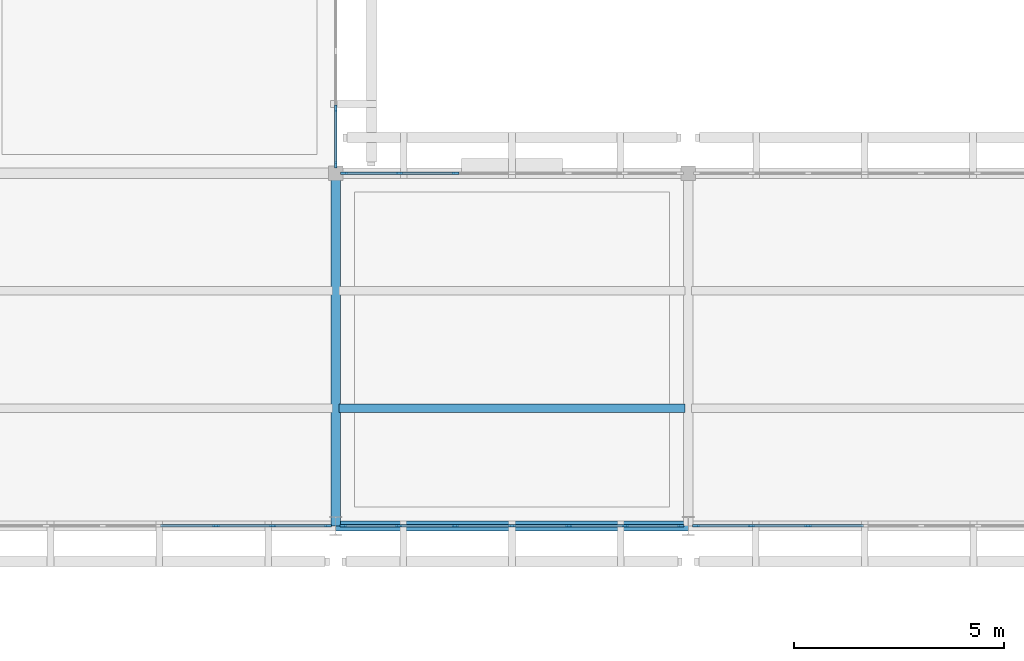
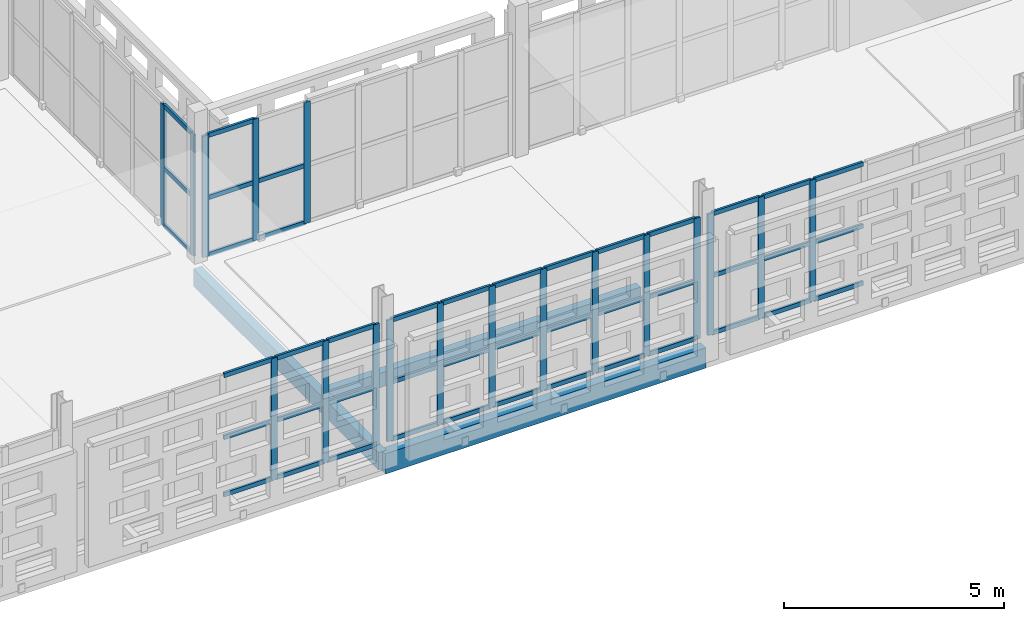
# One storey, part 52 of 140: 62 members, 3 beams, 5 elements without a shape of their own.
"""IFC4 building model written with IfcOpenShell, lengths in metres."""

from ifc_helpers import new_model, si_unit, direction, frame, origin, origin_2d, place, context, subcontext, project, spatial, rectangle, extrude, material, layer, layer_set, material_profile, profile_set, type_object, element, aggregate, save


model = new_model("IFC4")

# Units and contexts
model_context = context("Model", 3, precision=1e-05, world=origin(), true_north=direction((0.0, 1.0)))
body_context = subcontext(model_context, "Body", "Model", "MODEL_VIEW")
ifc_project = project(units=[si_unit("LENGTHUNIT", "METRE"), si_unit("AREAUNIT", "SQUARE_METRE"), si_unit("VOLUMEUNIT", "CUBIC_METRE"), si_unit("PLANEANGLEUNIT", "RADIAN"), si_unit("MASSUNIT", "GRAM", prefix="KILO")], contexts=[model_context])

# Site, building, storey
site_placement = place(None, origin())
site = spatial("IfcSite", under=ifc_project, at=site_placement, CompositionType="ELEMENT")
building_placement = place(site_placement, origin())
building = spatial("IfcBuilding", under=site, at=building_placement, Name="Varnapada Polytechnic", CompositionType="ELEMENT")
storey_placement = place(building_placement, frame((0.0, 0.0, 13.800048828125)))
storey = spatial("IfcBuildingStorey", under=building, at=storey_placement, Name="L03", CompositionType="ELEMENT", Elevation=13.800048828125)

# Beam
ifc_material_1 = material(Name="Glulam GL32h", Category="wood")
ifc_material_profile_1 = material_profile(ifc_material_1, rectangle(XDim=0.199951171875, YDim=0.39990234375, at=origin_2d()), Name="GL 200x400")
ifc_profile_set_1 = profile_set([ifc_material_profile_1], Name="Glulam GL32h")
beam_type_1 = type_object("IfcBeamType", Name="Library/laboratory glulam floor joist GJ-01 (GL 200x400)", PredefinedType="JOIST", material=ifc_profile_set_1)
beam_1_placement = place(storey_placement, frame((67.280029296875, 86.800048828125, -0.43994140625), z_axis=(1.0, 0.0, 0.0), x_axis=(0.0, 1.0, 0.0)))
element("IfcBeam", 1, at=beam_1_placement, inside=storey, type_object=beam_type_1, Name="L03 floor joist 9/11.1", PredefinedType="JOIST", context=body_context, shape_type="SweptSolid", body=[
    extrude(rectangle(XDim=0.199951171875, YDim=0.39990234375, at=origin_2d()), origin(), (0.0, 0.0, 1.0), 8.239990234375),
])

# Curtain wall, members
ifc_material_2 = material(Name="Double low-E laminated glass", Category="glass")
ifc_layer_1 = layer(ifc_material_2, 0.159912109375)
ifc_layer_set_1 = layer_set([ifc_layer_1], Name="Double low-E laminated glass")
curtain_wall_type_1 = type_object("IfcCurtainWallType", Name="Curtain Wall CW-01", PredefinedType="NOTDEFINED", material=ifc_layer_set_1)
curtain_wall_1_placement = place(storey_placement, origin())
curtain_wall_1 = element("IfcCurtainWall", 2, at=curtain_wall_1_placement, inside=storey, type_object=curtain_wall_type_1, Name="L03 unitised curtain wall CW-01 (229)", PredefinedType="NOTDEFINED")
ifc_material_3 = material(Name="Anodised aluminium", Category="aluminium")
ifc_material_profile_2 = material_profile(ifc_material_3, rectangle(XDim=0.06005859375, YDim=0.159912109375, at=origin_2d()), Name="ALU M60x160")
ifc_profile_set_2 = profile_set([ifc_material_profile_2], Name="Anodised aluminium")
member_type_1 = type_object("IfcMemberType", Name="Mullion M-01", PredefinedType="MULLION", material=ifc_profile_set_2)
member_1_placement = place(storey_placement, frame((67.02001953125, 84.0, 0.0), z_axis=(0.0, 0.0, 1.0), x_axis=(0.0, -1.0, 0.0)))
member_1 = element("IfcMember", 3, at=member_1_placement, type_object=member_type_1, Name="CW-01 mullion 1", PredefinedType="MULLION", context=body_context, shape_type="SweptSolid", body=[
    extrude(rectangle(XDim=0.06005859375, YDim=0.159912109375, at=origin_2d()), origin(), (0.0, 0.0, 1.0), 3.35986328125),
])
member_2_placement = place(storey_placement, frame((65.699951171875, 84.0, 0.0), z_axis=(0.0, 0.0, 1.0), x_axis=(0.0, -1.0, 0.0)))
member_2 = element("IfcMember", 4, at=member_2_placement, type_object=member_type_1, Name="CW-01 mullion 2", PredefinedType="MULLION", context=body_context, shape_type="SweptSolid", body=[
    extrude(rectangle(XDim=0.06005859375, YDim=0.159912109375, at=origin_2d()), origin(), (0.0, 0.0, 1.0), 3.35986328125),
])
member_3_placement = place(storey_placement, frame((64.35009765625, 84.0, 0.0), z_axis=(0.0, 0.0, 1.0), x_axis=(0.0, -1.0, 0.0)))
member_3 = element("IfcMember", 5, at=member_3_placement, type_object=member_type_1, Name="CW-01 mullion 3", PredefinedType="MULLION", context=body_context, shape_type="SweptSolid", body=[
    extrude(rectangle(XDim=0.06005859375, YDim=0.159912109375, at=origin_2d()), origin(), (0.0, 0.0, 1.0), 3.35986328125),
])

ifc_layer_2 = layer(ifc_material_2, 0.159912109375)
ifc_layer_set_2 = layer_set([ifc_layer_2], Name="Double low-E laminated glass")
curtain_wall_type_2 = type_object("IfcCurtainWallType", Name="Curtain Wall CW-02", PredefinedType="NOTDEFINED", material=ifc_layer_set_2)
curtain_wall_2_placement = place(storey_placement, origin())
curtain_wall_2 = element("IfcCurtainWall", 6, at=curtain_wall_2_placement, inside=storey, type_object=curtain_wall_type_2, Name="L03 unitised curtain wall CW-02 (230)", PredefinedType="NOTDEFINED")
member_4_placement = place(storey_placement, frame((67.199951171875, 93.941650390625, 0.0), z_axis=(0.0, 0.0, 1.0), x_axis=(1.0, 0.0, 0.0)))
member_4 = element("IfcMember", 7, at=member_4_placement, type_object=member_type_1, Name="CW-02 mullion 6", PredefinedType="MULLION", context=body_context, shape_type="SweptSolid", body=[
    extrude(rectangle(XDim=0.06005859375, YDim=0.159912109375, at=origin_2d()), origin(), (0.0, 0.0, 1.0), 3.35986328125),
])
member_5_placement = place(storey_placement, frame((67.199951171875, 92.60009765625, 0.0), z_axis=(0.0, 0.0, 1.0), x_axis=(1.0, 0.0, 0.0)))
member_5 = element("IfcMember", 8, at=member_5_placement, type_object=member_type_1, Name="CW-02 mullion 7", PredefinedType="MULLION", context=body_context, shape_type="SweptSolid", body=[
    extrude(rectangle(XDim=0.06005859375, YDim=0.159912109375, at=origin_2d()), origin(), (0.0, 0.0, 1.0), 3.35986328125),
])

curtain_wall_3_placement = place(storey_placement, origin())
curtain_wall_3 = element("IfcCurtainWall", 9, at=curtain_wall_3_placement, inside=storey, type_object=curtain_wall_type_1, Name="L03 unitised curtain wall CW-01 (234)", PredefinedType="NOTDEFINED")
member_6_placement = place(storey_placement, frame((75.419921875, 84.0, 0.0), z_axis=(0.0, 0.0, 1.0), x_axis=(0.0, -1.0, 0.0)))
member_6 = element("IfcMember", 10, at=member_6_placement, type_object=member_type_1, Name="CW-01 mullion 1", PredefinedType="MULLION", context=body_context, shape_type="SweptSolid", body=[
    extrude(rectangle(XDim=0.06005859375, YDim=0.159912109375, at=origin_2d()), origin(), (0.0, 0.0, 1.0), 3.35986328125),
])
member_7_placement = place(storey_placement, frame((74.10009765625, 84.0, 0.0), z_axis=(0.0, 0.0, 1.0), x_axis=(0.0, -1.0, 0.0)))
member_7 = element("IfcMember", 11, at=member_7_placement, type_object=member_type_1, Name="CW-01 mullion 2", PredefinedType="MULLION", context=body_context, shape_type="SweptSolid", body=[
    extrude(rectangle(XDim=0.06005859375, YDim=0.159912109375, at=origin_2d()), origin(), (0.0, 0.0, 1.0), 3.35986328125),
])
member_8_placement = place(storey_placement, frame((72.75, 84.0, 0.0), z_axis=(0.0, 0.0, 1.0), x_axis=(0.0, -1.0, 0.0)))
member_8 = element("IfcMember", 12, at=member_8_placement, type_object=member_type_1, Name="CW-01 mullion 3", PredefinedType="MULLION", context=body_context, shape_type="SweptSolid", body=[
    extrude(rectangle(XDim=0.06005859375, YDim=0.159912109375, at=origin_2d()), origin(), (0.0, 0.0, 1.0), 3.35986328125),
])
member_9_placement = place(storey_placement, frame((71.39990234375, 84.0, 0.0), z_axis=(0.0, 0.0, 1.0), x_axis=(0.0, -1.0, 0.0)))
member_9 = element("IfcMember", 13, at=member_9_placement, type_object=member_type_1, Name="CW-01 mullion 4", PredefinedType="MULLION", context=body_context, shape_type="SweptSolid", body=[
    extrude(rectangle(XDim=0.06005859375, YDim=0.159912109375, at=origin_2d()), origin(), (0.0, 0.0, 1.0), 3.35986328125),
])
member_10_placement = place(storey_placement, frame((70.050048828125, 84.0, 0.0), z_axis=(0.0, 0.0, 1.0), x_axis=(0.0, -1.0, 0.0)))
member_10 = element("IfcMember", 14, at=member_10_placement, type_object=member_type_1, Name="CW-01 mullion 5", PredefinedType="MULLION", context=body_context, shape_type="SweptSolid", body=[
    extrude(rectangle(XDim=0.06005859375, YDim=0.159912109375, at=origin_2d()), origin(), (0.0, 0.0, 1.0), 3.35986328125),
])
member_11_placement = place(storey_placement, frame((68.699951171875, 84.0, 0.0), z_axis=(0.0, 0.0, 1.0), x_axis=(0.0, -1.0, 0.0)))
member_11 = element("IfcMember", 15, at=member_11_placement, type_object=member_type_1, Name="CW-01 mullion 6", PredefinedType="MULLION", context=body_context, shape_type="SweptSolid", body=[
    extrude(rectangle(XDim=0.06005859375, YDim=0.159912109375, at=origin_2d()), origin(), (0.0, 0.0, 1.0), 3.35986328125),
])
member_12_placement = place(storey_placement, frame((67.3798828125, 84.0, 0.0), z_axis=(0.0, 0.0, 1.0), x_axis=(0.0, -1.0, 0.0)))
member_12 = element("IfcMember", 16, at=member_12_placement, type_object=member_type_1, Name="CW-01 mullion 7", PredefinedType="MULLION", context=body_context, shape_type="SweptSolid", body=[
    extrude(rectangle(XDim=0.06005859375, YDim=0.159912109375, at=origin_2d()), origin(), (0.0, 0.0, 1.0), 3.35986328125),
])

curtain_wall_4_placement = place(storey_placement, origin())
curtain_wall_4 = element("IfcCurtainWall", 17, at=curtain_wall_4_placement, inside=storey, type_object=curtain_wall_type_2, Name="L03 unitised curtain wall CW-02 (235)", PredefinedType="NOTDEFINED")
member_13_placement = place(storey_placement, frame((67.39990234375, 92.39990234375, 0.0), z_axis=(0.0, 0.0, 1.0), x_axis=(0.0, 1.0, 0.0)))
member_13 = element("IfcMember", 18, at=member_13_placement, type_object=member_type_1, Name="CW-02 mullion 1", PredefinedType="MULLION", context=body_context, shape_type="SweptSolid", body=[
    extrude(rectangle(XDim=0.06005859375, YDim=0.159912109375, at=origin_2d()), origin(), (0.0, 0.0, 1.0), 3.35986328125),
])
member_14_placement = place(storey_placement, frame((68.71337890625, 92.39990234375, 0.0), z_axis=(0.0, 0.0, 1.0), x_axis=(0.0, 1.0, 0.0)))
member_14 = element("IfcMember", 19, at=member_14_placement, type_object=member_type_1, Name="CW-02 mullion 2", PredefinedType="MULLION", context=body_context, shape_type="SweptSolid", body=[
    extrude(rectangle(XDim=0.06005859375, YDim=0.159912109375, at=origin_2d()), origin(), (0.0, 0.0, 1.0), 3.35986328125),
])
member_15_placement = place(storey_placement, frame((70.056640625, 92.39990234375, 0.0), z_axis=(0.0, 0.0, 1.0), x_axis=(0.0, 1.0, 0.0)))
member_15 = element("IfcMember", 20, at=member_15_placement, type_object=member_type_1, Name="CW-02 mullion 3", PredefinedType="MULLION", context=body_context, shape_type="SweptSolid", body=[
    extrude(rectangle(XDim=0.06005859375, YDim=0.159912109375, at=origin_2d()), origin(), (0.0, 0.0, 1.0), 3.35986328125),
])

curtain_wall_5_placement = place(storey_placement, origin())
curtain_wall_5 = element("IfcCurtainWall", 21, at=curtain_wall_5_placement, inside=storey, type_object=curtain_wall_type_1, Name="L03 unitised curtain wall CW-01 (236)", PredefinedType="NOTDEFINED")
member_16_placement = place(storey_placement, frame((78.449951171875, 84.0, 0.0), z_axis=(0.0, 0.0, 1.0), x_axis=(0.0, -1.0, 0.0)))
member_16 = element("IfcMember", 22, at=member_16_placement, type_object=member_type_1, Name="CW-01 mullion 5", PredefinedType="MULLION", context=body_context, shape_type="SweptSolid", body=[
    extrude(rectangle(XDim=0.06005859375, YDim=0.159912109375, at=origin_2d()), origin(), (0.0, 0.0, 1.0), 3.35986328125),
])
member_17_placement = place(storey_placement, frame((77.10009765625, 84.0, 0.0), z_axis=(0.0, 0.0, 1.0), x_axis=(0.0, -1.0, 0.0)))
member_17 = element("IfcMember", 23, at=member_17_placement, type_object=member_type_1, Name="CW-01 mullion 6", PredefinedType="MULLION", context=body_context, shape_type="SweptSolid", body=[
    extrude(rectangle(XDim=0.06005859375, YDim=0.159912109375, at=origin_2d()), origin(), (0.0, 0.0, 1.0), 3.35986328125),
])
member_18_placement = place(storey_placement, frame((75.780029296875, 84.0, 0.0), z_axis=(0.0, 0.0, 1.0), x_axis=(0.0, -1.0, 0.0)))
member_18 = element("IfcMember", 24, at=member_18_placement, type_object=member_type_1, Name="CW-01 mullion 7", PredefinedType="MULLION", context=body_context, shape_type="SweptSolid", body=[
    extrude(rectangle(XDim=0.06005859375, YDim=0.159912109375, at=origin_2d()), origin(), (0.0, 0.0, 1.0), 3.35986328125),
])

# Beam
ifc_material_profile_3 = material_profile(ifc_material_1, rectangle(XDim=0.239990234375, YDim=0.56005859375, at=origin_2d()), Name="GL 240x560")
ifc_profile_set_3 = profile_set([ifc_material_profile_3], Name="Glulam GL32h")
beam_type_2 = type_object("IfcBeamType", Name="Perimeter glulam spandrel beam SP-02 (GL 240x560)", PredefinedType="SPANDREL", material=ifc_profile_set_3)
beam_2_placement = place(storey_placement, frame((67.199951171875, 84.0, -0.52001953125), z_axis=(1.0, 0.0, 0.0), x_axis=(0.0, 1.0, 0.0)))
element("IfcBeam", 25, at=beam_2_placement, inside=storey, type_object=beam_type_2, Name="L03 beam X 9-10 at Y11", PredefinedType="SPANDREL", context=body_context, shape_type="SweptSolid", body=[
    extrude(rectangle(XDim=0.239990234375, YDim=0.56005859375, at=origin_2d()), origin(), (0.0, 0.0, 1.0), 8.400146484375),
])

# Member
ifc_material_profile_4 = material_profile(ifc_material_3, rectangle(XDim=0.06005859375, YDim=0.1201171875, at=origin_2d()), Name="ALU T60x120")
ifc_profile_set_4 = profile_set([ifc_material_profile_4], Name="Anodised aluminium")
member_type_2 = type_object("IfcMemberType", Name="Transom T-01", PredefinedType="USERDEFINED", material=ifc_profile_set_4)
member_19_placement = place(storey_placement, frame((66.989990234375, 84.0, 0.030029296875), z_axis=(-1.0, 0.0, 0.0), x_axis=(0.0, -1.0, 0.0)))
member_19 = element("IfcMember", 26, at=member_19_placement, type_object=member_type_2, Name="CW-01 transom 1.1", ObjectType="TRANSOM", PredefinedType="USERDEFINED", context=body_context, shape_type="SweptSolid", body=[
    extrude(rectangle(XDim=0.06005859375, YDim=0.1201171875, at=origin_2d()), origin(), (0.0, 0.0, 1.0), 1.260009765625),
])

member_20_placement = place(storey_placement, frame((66.989990234375, 84.0, 1.61279296875), z_axis=(-1.0, 0.0, 0.0), x_axis=(0.0, -1.0, 0.0)))
member_20 = element("IfcMember", 27, at=member_20_placement, type_object=member_type_2, Name="CW-01 transom 1.2", ObjectType="TRANSOM", PredefinedType="USERDEFINED", context=body_context, shape_type="SweptSolid", body=[
    extrude(rectangle(XDim=0.06005859375, YDim=0.1201171875, at=origin_2d()), origin(), (0.0, 0.0, 1.0), 1.260009765625),
])

member_21_placement = place(storey_placement, frame((66.989990234375, 84.0, 3.329833984375), z_axis=(-1.0, 0.0, 0.0), x_axis=(0.0, -1.0, 0.0)))
member_21 = element("IfcMember", 28, at=member_21_placement, type_object=member_type_2, Name="CW-01 transom 1.3", ObjectType="TRANSOM", PredefinedType="USERDEFINED", context=body_context, shape_type="SweptSolid", body=[
    extrude(rectangle(XDim=0.06005859375, YDim=0.1201171875, at=origin_2d()), origin(), (0.0, 0.0, 1.0), 1.260009765625),
])

member_22_placement = place(storey_placement, frame((65.669921875, 84.0, 0.030029296875), z_axis=(-1.0, 0.0, 0.0), x_axis=(0.0, -1.0, 0.0)))
member_22 = element("IfcMember", 29, at=member_22_placement, type_object=member_type_2, Name="CW-01 transom 2.1", ObjectType="TRANSOM", PredefinedType="USERDEFINED", context=body_context, shape_type="SweptSolid", body=[
    extrude(rectangle(XDim=0.06005859375, YDim=0.1201171875, at=origin_2d()), origin(), (0.0, 0.0, 1.0), 1.2900390625),
])

member_23_placement = place(storey_placement, frame((65.669921875, 84.0, 1.61279296875), z_axis=(-1.0, 0.0, 0.0), x_axis=(0.0, -1.0, 0.0)))
member_23 = element("IfcMember", 30, at=member_23_placement, type_object=member_type_2, Name="CW-01 transom 2.2", ObjectType="TRANSOM", PredefinedType="USERDEFINED", context=body_context, shape_type="SweptSolid", body=[
    extrude(rectangle(XDim=0.06005859375, YDim=0.1201171875, at=origin_2d()), origin(), (0.0, 0.0, 1.0), 1.2900390625),
])

member_24_placement = place(storey_placement, frame((65.669921875, 84.0, 3.329833984375), z_axis=(-1.0, 0.0, 0.0), x_axis=(0.0, -1.0, 0.0)))
member_24 = element("IfcMember", 31, at=member_24_placement, type_object=member_type_2, Name="CW-01 transom 2.3", ObjectType="TRANSOM", PredefinedType="USERDEFINED", context=body_context, shape_type="SweptSolid", body=[
    extrude(rectangle(XDim=0.06005859375, YDim=0.1201171875, at=origin_2d()), origin(), (0.0, 0.0, 1.0), 1.2900390625),
])

member_25_placement = place(storey_placement, frame((64.320068359375, 84.0, 0.030029296875), z_axis=(-1.0, 0.0, 0.0), x_axis=(0.0, -1.0, 0.0)))
member_25 = element("IfcMember", 32, at=member_25_placement, type_object=member_type_2, Name="CW-01 transom 3.1", ObjectType="TRANSOM", PredefinedType="USERDEFINED", context=body_context, shape_type="SweptSolid", body=[
    extrude(rectangle(XDim=0.06005859375, YDim=0.1201171875, at=origin_2d()), origin(), (0.0, 0.0, 1.0), 1.2900390625),
])

member_26_placement = place(storey_placement, frame((64.320068359375, 84.0, 1.61279296875), z_axis=(-1.0, 0.0, 0.0), x_axis=(0.0, -1.0, 0.0)))
member_26 = element("IfcMember", 33, at=member_26_placement, type_object=member_type_2, Name="CW-01 transom 3.2", ObjectType="TRANSOM", PredefinedType="USERDEFINED", context=body_context, shape_type="SweptSolid", body=[
    extrude(rectangle(XDim=0.06005859375, YDim=0.1201171875, at=origin_2d()), origin(), (0.0, 0.0, 1.0), 1.2900390625),
])

member_27_placement = place(storey_placement, frame((64.320068359375, 84.0, 3.329833984375), z_axis=(-1.0, 0.0, 0.0), x_axis=(0.0, -1.0, 0.0)))
member_27 = element("IfcMember", 34, at=member_27_placement, type_object=member_type_2, Name="CW-01 transom 3.3", ObjectType="TRANSOM", PredefinedType="USERDEFINED", context=body_context, shape_type="SweptSolid", body=[
    extrude(rectangle(XDim=0.06005859375, YDim=0.1201171875, at=origin_2d()), origin(), (0.0, 0.0, 1.0), 1.2900390625),
])

aggregate(curtain_wall_1, [member_1, member_2, member_3, member_19, member_20, member_21, member_22, member_23, member_24, member_25, member_26, member_27])

member_28_placement = place(storey_placement, frame((67.199951171875, 93.91162109375, 0.030029296875), z_axis=(0.0, -1.0, 0.0), x_axis=(1.0, 0.0, 0.0)))
member_28 = element("IfcMember", 35, at=member_28_placement, type_object=member_type_2, Name="CW-02 transom 6.1", ObjectType="TRANSOM", PredefinedType="USERDEFINED", context=body_context, shape_type="SweptSolid", body=[
    extrude(rectangle(XDim=0.06005859375, YDim=0.1201171875, at=origin_2d()), origin(), (0.0, 0.0, 1.0), 1.28173828125),
])

member_29_placement = place(storey_placement, frame((67.199951171875, 93.91162109375, 1.61279296875), z_axis=(0.0, -1.0, 0.0), x_axis=(1.0, 0.0, 0.0)))
member_29 = element("IfcMember", 36, at=member_29_placement, type_object=member_type_2, Name="CW-02 transom 6.2", ObjectType="TRANSOM", PredefinedType="USERDEFINED", context=body_context, shape_type="SweptSolid", body=[
    extrude(rectangle(XDim=0.06005859375, YDim=0.1201171875, at=origin_2d()), origin(), (0.0, 0.0, 1.0), 1.28173828125),
])

member_30_placement = place(storey_placement, frame((67.199951171875, 93.91162109375, 3.329833984375), z_axis=(0.0, -1.0, 0.0), x_axis=(1.0, 0.0, 0.0)))
member_30 = element("IfcMember", 37, at=member_30_placement, type_object=member_type_2, Name="CW-02 transom 6.3", ObjectType="TRANSOM", PredefinedType="USERDEFINED", context=body_context, shape_type="SweptSolid", body=[
    extrude(rectangle(XDim=0.06005859375, YDim=0.1201171875, at=origin_2d()), origin(), (0.0, 0.0, 1.0), 1.28173828125),
])

aggregate(curtain_wall_2, [member_4, member_5, member_28, member_29, member_30])

member_31_placement = place(storey_placement, frame((75.389892578125, 84.0, 0.030029296875), z_axis=(-1.0, 0.0, 0.0), x_axis=(0.0, -1.0, 0.0)))
member_31 = element("IfcMember", 38, at=member_31_placement, type_object=member_type_2, Name="CW-01 transom 1.1", ObjectType="TRANSOM", PredefinedType="USERDEFINED", context=body_context, shape_type="SweptSolid", body=[
    extrude(rectangle(XDim=0.06005859375, YDim=0.1201171875, at=origin_2d()), origin(), (0.0, 0.0, 1.0), 1.260009765625),
])

member_32_placement = place(storey_placement, frame((75.389892578125, 84.0, 1.61279296875), z_axis=(-1.0, 0.0, 0.0), x_axis=(0.0, -1.0, 0.0)))
member_32 = element("IfcMember", 39, at=member_32_placement, type_object=member_type_2, Name="CW-01 transom 1.2", ObjectType="TRANSOM", PredefinedType="USERDEFINED", context=body_context, shape_type="SweptSolid", body=[
    extrude(rectangle(XDim=0.06005859375, YDim=0.1201171875, at=origin_2d()), origin(), (0.0, 0.0, 1.0), 1.260009765625),
])

member_33_placement = place(storey_placement, frame((75.389892578125, 84.0, 3.329833984375), z_axis=(-1.0, 0.0, 0.0), x_axis=(0.0, -1.0, 0.0)))
member_33 = element("IfcMember", 40, at=member_33_placement, type_object=member_type_2, Name="CW-01 transom 1.3", ObjectType="TRANSOM", PredefinedType="USERDEFINED", context=body_context, shape_type="SweptSolid", body=[
    extrude(rectangle(XDim=0.06005859375, YDim=0.1201171875, at=origin_2d()), origin(), (0.0, 0.0, 1.0), 1.260009765625),
])

member_34_placement = place(storey_placement, frame((74.070068359375, 84.0, 0.030029296875), z_axis=(-1.0, 0.0, 0.0), x_axis=(0.0, -1.0, 0.0)))
member_34 = element("IfcMember", 41, at=member_34_placement, type_object=member_type_2, Name="CW-01 transom 2.1", ObjectType="TRANSOM", PredefinedType="USERDEFINED", context=body_context, shape_type="SweptSolid", body=[
    extrude(rectangle(XDim=0.06005859375, YDim=0.1201171875, at=origin_2d()), origin(), (0.0, 0.0, 1.0), 1.2900390625),
])

member_35_placement = place(storey_placement, frame((74.070068359375, 84.0, 1.61279296875), z_axis=(-1.0, 0.0, 0.0), x_axis=(0.0, -1.0, 0.0)))
member_35 = element("IfcMember", 42, at=member_35_placement, type_object=member_type_2, Name="CW-01 transom 2.2", ObjectType="TRANSOM", PredefinedType="USERDEFINED", context=body_context, shape_type="SweptSolid", body=[
    extrude(rectangle(XDim=0.06005859375, YDim=0.1201171875, at=origin_2d()), origin(), (0.0, 0.0, 1.0), 1.2900390625),
])

member_36_placement = place(storey_placement, frame((74.070068359375, 84.0, 3.329833984375), z_axis=(-1.0, 0.0, 0.0), x_axis=(0.0, -1.0, 0.0)))
member_36 = element("IfcMember", 43, at=member_36_placement, type_object=member_type_2, Name="CW-01 transom 2.3", ObjectType="TRANSOM", PredefinedType="USERDEFINED", context=body_context, shape_type="SweptSolid", body=[
    extrude(rectangle(XDim=0.06005859375, YDim=0.1201171875, at=origin_2d()), origin(), (0.0, 0.0, 1.0), 1.2900390625),
])

member_37_placement = place(storey_placement, frame((72.719970703125, 84.0, 0.030029296875), z_axis=(-1.0, 0.0, 0.0), x_axis=(0.0, -1.0, 0.0)))
member_37 = element("IfcMember", 44, at=member_37_placement, type_object=member_type_2, Name="CW-01 transom 3.1", ObjectType="TRANSOM", PredefinedType="USERDEFINED", context=body_context, shape_type="SweptSolid", body=[
    extrude(rectangle(XDim=0.06005859375, YDim=0.1201171875, at=origin_2d()), origin(), (0.0, 0.0, 1.0), 1.2900390625),
])

member_38_placement = place(storey_placement, frame((72.719970703125, 84.0, 1.61279296875), z_axis=(-1.0, 0.0, 0.0), x_axis=(0.0, -1.0, 0.0)))
member_38 = element("IfcMember", 45, at=member_38_placement, type_object=member_type_2, Name="CW-01 transom 3.2", ObjectType="TRANSOM", PredefinedType="USERDEFINED", context=body_context, shape_type="SweptSolid", body=[
    extrude(rectangle(XDim=0.06005859375, YDim=0.1201171875, at=origin_2d()), origin(), (0.0, 0.0, 1.0), 1.2900390625),
])

member_39_placement = place(storey_placement, frame((72.719970703125, 84.0, 3.329833984375), z_axis=(-1.0, 0.0, 0.0), x_axis=(0.0, -1.0, 0.0)))
member_39 = element("IfcMember", 46, at=member_39_placement, type_object=member_type_2, Name="CW-01 transom 3.3", ObjectType="TRANSOM", PredefinedType="USERDEFINED", context=body_context, shape_type="SweptSolid", body=[
    extrude(rectangle(XDim=0.06005859375, YDim=0.1201171875, at=origin_2d()), origin(), (0.0, 0.0, 1.0), 1.2900390625),
])

member_40_placement = place(storey_placement, frame((71.3701171875, 84.0, 0.030029296875), z_axis=(-1.0, 0.0, 0.0), x_axis=(0.0, -1.0, 0.0)))
member_40 = element("IfcMember", 47, at=member_40_placement, type_object=member_type_2, Name="CW-01 transom 4.1", ObjectType="TRANSOM", PredefinedType="USERDEFINED", context=body_context, shape_type="SweptSolid", body=[
    extrude(rectangle(XDim=0.06005859375, YDim=0.1201171875, at=origin_2d()), origin(), (0.0, 0.0, 1.0), 1.2900390625),
])

member_41_placement = place(storey_placement, frame((71.3701171875, 84.0, 1.61279296875), z_axis=(-1.0, 0.0, 0.0), x_axis=(0.0, -1.0, 0.0)))
member_41 = element("IfcMember", 48, at=member_41_placement, type_object=member_type_2, Name="CW-01 transom 4.2", ObjectType="TRANSOM", PredefinedType="USERDEFINED", context=body_context, shape_type="SweptSolid", body=[
    extrude(rectangle(XDim=0.06005859375, YDim=0.1201171875, at=origin_2d()), origin(), (0.0, 0.0, 1.0), 1.2900390625),
])

member_42_placement = place(storey_placement, frame((71.3701171875, 84.0, 3.329833984375), z_axis=(-1.0, 0.0, 0.0), x_axis=(0.0, -1.0, 0.0)))
member_42 = element("IfcMember", 49, at=member_42_placement, type_object=member_type_2, Name="CW-01 transom 4.3", ObjectType="TRANSOM", PredefinedType="USERDEFINED", context=body_context, shape_type="SweptSolid", body=[
    extrude(rectangle(XDim=0.06005859375, YDim=0.1201171875, at=origin_2d()), origin(), (0.0, 0.0, 1.0), 1.2900390625),
])

member_43_placement = place(storey_placement, frame((70.02001953125, 84.0, 0.030029296875), z_axis=(-1.0, 0.0, 0.0), x_axis=(0.0, -1.0, 0.0)))
member_43 = element("IfcMember", 50, at=member_43_placement, type_object=member_type_2, Name="CW-01 transom 5.1", ObjectType="TRANSOM", PredefinedType="USERDEFINED", context=body_context, shape_type="SweptSolid", body=[
    extrude(rectangle(XDim=0.06005859375, YDim=0.1201171875, at=origin_2d()), origin(), (0.0, 0.0, 1.0), 1.2900390625),
])

member_44_placement = place(storey_placement, frame((70.02001953125, 84.0, 1.61279296875), z_axis=(-1.0, 0.0, 0.0), x_axis=(0.0, -1.0, 0.0)))
member_44 = element("IfcMember", 51, at=member_44_placement, type_object=member_type_2, Name="CW-01 transom 5.2", ObjectType="TRANSOM", PredefinedType="USERDEFINED", context=body_context, shape_type="SweptSolid", body=[
    extrude(rectangle(XDim=0.06005859375, YDim=0.1201171875, at=origin_2d()), origin(), (0.0, 0.0, 1.0), 1.2900390625),
])

member_45_placement = place(storey_placement, frame((70.02001953125, 84.0, 3.329833984375), z_axis=(-1.0, 0.0, 0.0), x_axis=(0.0, -1.0, 0.0)))
member_45 = element("IfcMember", 52, at=member_45_placement, type_object=member_type_2, Name="CW-01 transom 5.3", ObjectType="TRANSOM", PredefinedType="USERDEFINED", context=body_context, shape_type="SweptSolid", body=[
    extrude(rectangle(XDim=0.06005859375, YDim=0.1201171875, at=origin_2d()), origin(), (0.0, 0.0, 1.0), 1.2900390625),
])

member_46_placement = place(storey_placement, frame((68.669921875, 84.0, 0.030029296875), z_axis=(-1.0, 0.0, 0.0), x_axis=(0.0, -1.0, 0.0)))
member_46 = element("IfcMember", 53, at=member_46_placement, type_object=member_type_2, Name="CW-01 transom 6.1", ObjectType="TRANSOM", PredefinedType="USERDEFINED", context=body_context, shape_type="SweptSolid", body=[
    extrude(rectangle(XDim=0.06005859375, YDim=0.1201171875, at=origin_2d()), origin(), (0.0, 0.0, 1.0), 1.260009765625),
])

member_47_placement = place(storey_placement, frame((68.669921875, 84.0, 1.61279296875), z_axis=(-1.0, 0.0, 0.0), x_axis=(0.0, -1.0, 0.0)))
member_47 = element("IfcMember", 54, at=member_47_placement, type_object=member_type_2, Name="CW-01 transom 6.2", ObjectType="TRANSOM", PredefinedType="USERDEFINED", context=body_context, shape_type="SweptSolid", body=[
    extrude(rectangle(XDim=0.06005859375, YDim=0.1201171875, at=origin_2d()), origin(), (0.0, 0.0, 1.0), 1.260009765625),
])

member_48_placement = place(storey_placement, frame((68.669921875, 84.0, 3.329833984375), z_axis=(-1.0, 0.0, 0.0), x_axis=(0.0, -1.0, 0.0)))
member_48 = element("IfcMember", 55, at=member_48_placement, type_object=member_type_2, Name="CW-01 transom 6.3", ObjectType="TRANSOM", PredefinedType="USERDEFINED", context=body_context, shape_type="SweptSolid", body=[
    extrude(rectangle(XDim=0.06005859375, YDim=0.1201171875, at=origin_2d()), origin(), (0.0, 0.0, 1.0), 1.260009765625),
])

aggregate(curtain_wall_3, [member_6, member_7, member_8, member_9, member_10, member_11, member_12, member_31, member_32, member_33, member_34, member_35, member_36, member_37, member_38, member_39, member_40, member_41, member_42, member_43, member_44, member_45, member_46, member_47, member_48])

member_49_placement = place(storey_placement, frame((67.429931640625, 92.39990234375, 0.030029296875), z_axis=(1.0, 0.0, 0.0), x_axis=(0.0, 1.0, 0.0)))
member_49 = element("IfcMember", 56, at=member_49_placement, type_object=member_type_2, Name="CW-02 transom 1.1", ObjectType="TRANSOM", PredefinedType="USERDEFINED", context=body_context, shape_type="SweptSolid", body=[
    extrude(rectangle(XDim=0.06005859375, YDim=0.1201171875, at=origin_2d()), origin(), (0.0, 0.0, 1.0), 1.25341796875),
])

member_50_placement = place(storey_placement, frame((67.429931640625, 92.39990234375, 1.61279296875), z_axis=(1.0, 0.0, 0.0), x_axis=(0.0, 1.0, 0.0)))
member_50 = element("IfcMember", 57, at=member_50_placement, type_object=member_type_2, Name="CW-02 transom 1.2", ObjectType="TRANSOM", PredefinedType="USERDEFINED", context=body_context, shape_type="SweptSolid", body=[
    extrude(rectangle(XDim=0.06005859375, YDim=0.1201171875, at=origin_2d()), origin(), (0.0, 0.0, 1.0), 1.25341796875),
])

member_51_placement = place(storey_placement, frame((67.429931640625, 92.39990234375, 3.329833984375), z_axis=(1.0, 0.0, 0.0), x_axis=(0.0, 1.0, 0.0)))
member_51 = element("IfcMember", 58, at=member_51_placement, type_object=member_type_2, Name="CW-02 transom 1.3", ObjectType="TRANSOM", PredefinedType="USERDEFINED", context=body_context, shape_type="SweptSolid", body=[
    extrude(rectangle(XDim=0.06005859375, YDim=0.1201171875, at=origin_2d()), origin(), (0.0, 0.0, 1.0), 1.25341796875),
])

member_52_placement = place(storey_placement, frame((68.743408203125, 92.39990234375, 0.030029296875), z_axis=(1.0, 0.0, 0.0), x_axis=(0.0, 1.0, 0.0)))
member_52 = element("IfcMember", 59, at=member_52_placement, type_object=member_type_2, Name="CW-02 transom 2.1", ObjectType="TRANSOM", PredefinedType="USERDEFINED", context=body_context, shape_type="SweptSolid", body=[
    extrude(rectangle(XDim=0.06005859375, YDim=0.1201171875, at=origin_2d()), origin(), (0.0, 0.0, 1.0), 1.283203125),
])

member_53_placement = place(storey_placement, frame((68.743408203125, 92.39990234375, 1.61279296875), z_axis=(1.0, 0.0, 0.0), x_axis=(0.0, 1.0, 0.0)))
member_53 = element("IfcMember", 60, at=member_53_placement, type_object=member_type_2, Name="CW-02 transom 2.2", ObjectType="TRANSOM", PredefinedType="USERDEFINED", context=body_context, shape_type="SweptSolid", body=[
    extrude(rectangle(XDim=0.06005859375, YDim=0.1201171875, at=origin_2d()), origin(), (0.0, 0.0, 1.0), 1.283203125),
])

aggregate(curtain_wall_4, [member_13, member_14, member_15, member_49, member_50, member_51, member_52, member_53])

member_54_placement = place(storey_placement, frame((79.77001953125, 84.0, 0.030029296875), z_axis=(-1.0, 0.0, 0.0), x_axis=(0.0, -1.0, 0.0)))
member_54 = element("IfcMember", 61, at=member_54_placement, type_object=member_type_2, Name="CW-01 transom 4.1", ObjectType="TRANSOM", PredefinedType="USERDEFINED", context=body_context, shape_type="SweptSolid", body=[
    extrude(rectangle(XDim=0.06005859375, YDim=0.1201171875, at=origin_2d()), origin(), (0.0, 0.0, 1.0), 1.2900390625),
])

member_55_placement = place(storey_placement, frame((79.77001953125, 84.0, 1.61279296875), z_axis=(-1.0, 0.0, 0.0), x_axis=(0.0, -1.0, 0.0)))
member_55 = element("IfcMember", 62, at=member_55_placement, type_object=member_type_2, Name="CW-01 transom 4.2", ObjectType="TRANSOM", PredefinedType="USERDEFINED", context=body_context, shape_type="SweptSolid", body=[
    extrude(rectangle(XDim=0.06005859375, YDim=0.1201171875, at=origin_2d()), origin(), (0.0, 0.0, 1.0), 1.2900390625),
])

member_56_placement = place(storey_placement, frame((79.77001953125, 84.0, 3.329833984375), z_axis=(-1.0, 0.0, 0.0), x_axis=(0.0, -1.0, 0.0)))
member_56 = element("IfcMember", 63, at=member_56_placement, type_object=member_type_2, Name="CW-01 transom 4.3", ObjectType="TRANSOM", PredefinedType="USERDEFINED", context=body_context, shape_type="SweptSolid", body=[
    extrude(rectangle(XDim=0.06005859375, YDim=0.1201171875, at=origin_2d()), origin(), (0.0, 0.0, 1.0), 1.2900390625),
])

member_57_placement = place(storey_placement, frame((78.419921875, 84.0, 0.030029296875), z_axis=(-1.0, 0.0, 0.0), x_axis=(0.0, -1.0, 0.0)))
member_57 = element("IfcMember", 64, at=member_57_placement, type_object=member_type_2, Name="CW-01 transom 5.1", ObjectType="TRANSOM", PredefinedType="USERDEFINED", context=body_context, shape_type="SweptSolid", body=[
    extrude(rectangle(XDim=0.06005859375, YDim=0.1201171875, at=origin_2d()), origin(), (0.0, 0.0, 1.0), 1.2900390625),
])

member_58_placement = place(storey_placement, frame((78.419921875, 84.0, 1.61279296875), z_axis=(-1.0, 0.0, 0.0), x_axis=(0.0, -1.0, 0.0)))
member_58 = element("IfcMember", 65, at=member_58_placement, type_object=member_type_2, Name="CW-01 transom 5.2", ObjectType="TRANSOM", PredefinedType="USERDEFINED", context=body_context, shape_type="SweptSolid", body=[
    extrude(rectangle(XDim=0.06005859375, YDim=0.1201171875, at=origin_2d()), origin(), (0.0, 0.0, 1.0), 1.2900390625),
])

member_59_placement = place(storey_placement, frame((78.419921875, 84.0, 3.329833984375), z_axis=(-1.0, 0.0, 0.0), x_axis=(0.0, -1.0, 0.0)))
member_59 = element("IfcMember", 66, at=member_59_placement, type_object=member_type_2, Name="CW-01 transom 5.3", ObjectType="TRANSOM", PredefinedType="USERDEFINED", context=body_context, shape_type="SweptSolid", body=[
    extrude(rectangle(XDim=0.06005859375, YDim=0.1201171875, at=origin_2d()), origin(), (0.0, 0.0, 1.0), 1.2900390625),
])

member_60_placement = place(storey_placement, frame((77.070068359375, 84.0, 0.030029296875), z_axis=(-1.0, 0.0, 0.0), x_axis=(0.0, -1.0, 0.0)))
member_60 = element("IfcMember", 67, at=member_60_placement, type_object=member_type_2, Name="CW-01 transom 6.1", ObjectType="TRANSOM", PredefinedType="USERDEFINED", context=body_context, shape_type="SweptSolid", body=[
    extrude(rectangle(XDim=0.06005859375, YDim=0.1201171875, at=origin_2d()), origin(), (0.0, 0.0, 1.0), 1.260009765625),
])

member_61_placement = place(storey_placement, frame((77.070068359375, 84.0, 1.61279296875), z_axis=(-1.0, 0.0, 0.0), x_axis=(0.0, -1.0, 0.0)))
member_61 = element("IfcMember", 68, at=member_61_placement, type_object=member_type_2, Name="CW-01 transom 6.2", ObjectType="TRANSOM", PredefinedType="USERDEFINED", context=body_context, shape_type="SweptSolid", body=[
    extrude(rectangle(XDim=0.06005859375, YDim=0.1201171875, at=origin_2d()), origin(), (0.0, 0.0, 1.0), 1.260009765625),
])

member_62_placement = place(storey_placement, frame((77.070068359375, 84.0, 3.329833984375), z_axis=(-1.0, 0.0, 0.0), x_axis=(0.0, -1.0, 0.0)))
member_62 = element("IfcMember", 69, at=member_62_placement, type_object=member_type_2, Name="CW-01 transom 6.3", ObjectType="TRANSOM", PredefinedType="USERDEFINED", context=body_context, shape_type="SweptSolid", body=[
    extrude(rectangle(XDim=0.06005859375, YDim=0.1201171875, at=origin_2d()), origin(), (0.0, 0.0, 1.0), 1.260009765625),
])

aggregate(curtain_wall_5, [member_16, member_17, member_18, member_54, member_55, member_56, member_57, member_58, member_59, member_60, member_61, member_62])

# Beam
ifc_material_profile_5 = material_profile(ifc_material_1, rectangle(XDim=0.219970703125, YDim=0.47998046875, at=origin_2d()), Name="GL 220x480")
ifc_profile_set_5 = profile_set([ifc_material_profile_5], Name="Glulam GL32h")
beam_type_3 = type_object("IfcBeamType", Name="Upper floor glulam tie beam GB-11 (GL 220x480)", PredefinedType="BEAM", material=ifc_profile_set_5)
beam_3_placement = place(storey_placement, frame((67.199951171875, 84.0, -0.47998046875), z_axis=(0.0, 1.0, 0.0), x_axis=(-1.0, 0.0, 0.0)))
element("IfcBeam", 70, at=beam_3_placement, inside=storey, type_object=beam_type_3, Name="L03 beam Y 11-12 at X9", PredefinedType="BEAM", context=body_context, shape_type="SweptSolid", body=[
    extrude(rectangle(XDim=0.219970703125, YDim=0.47998046875, at=origin_2d()), origin(), (0.0, 0.0, 1.0), 8.39990234375),
])

save(model, "model.ifc")
